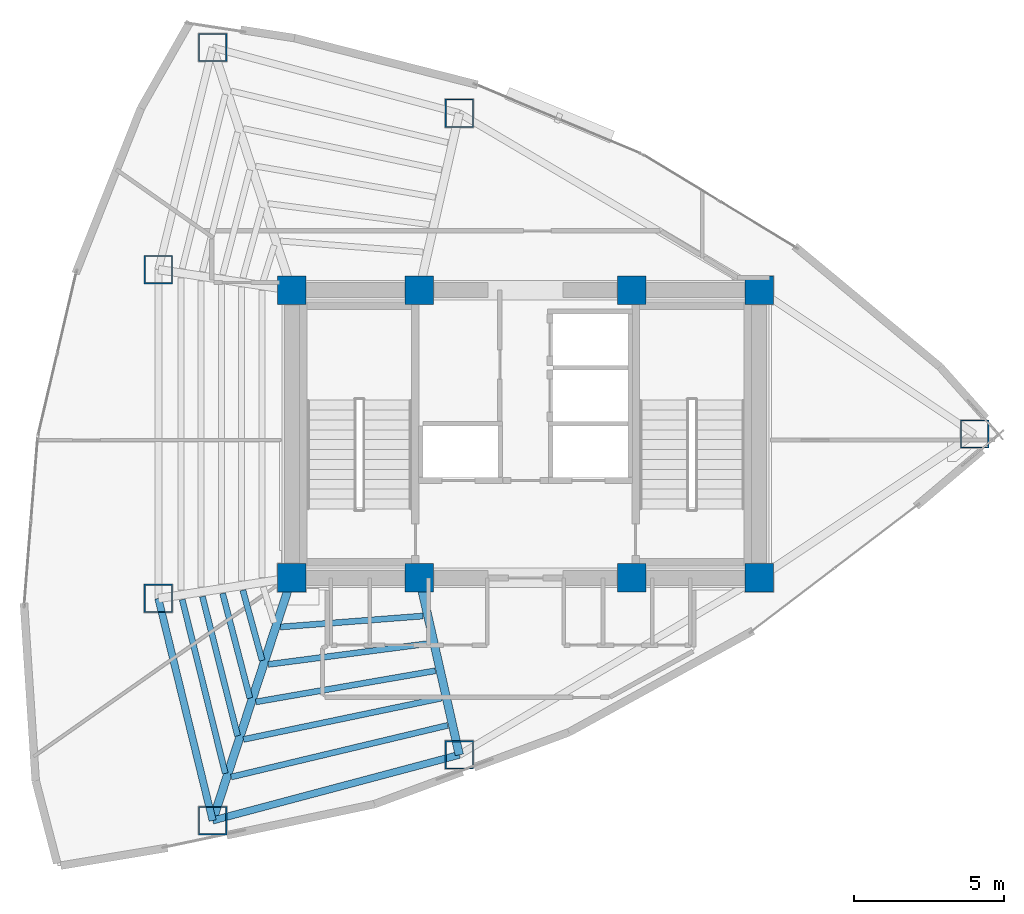
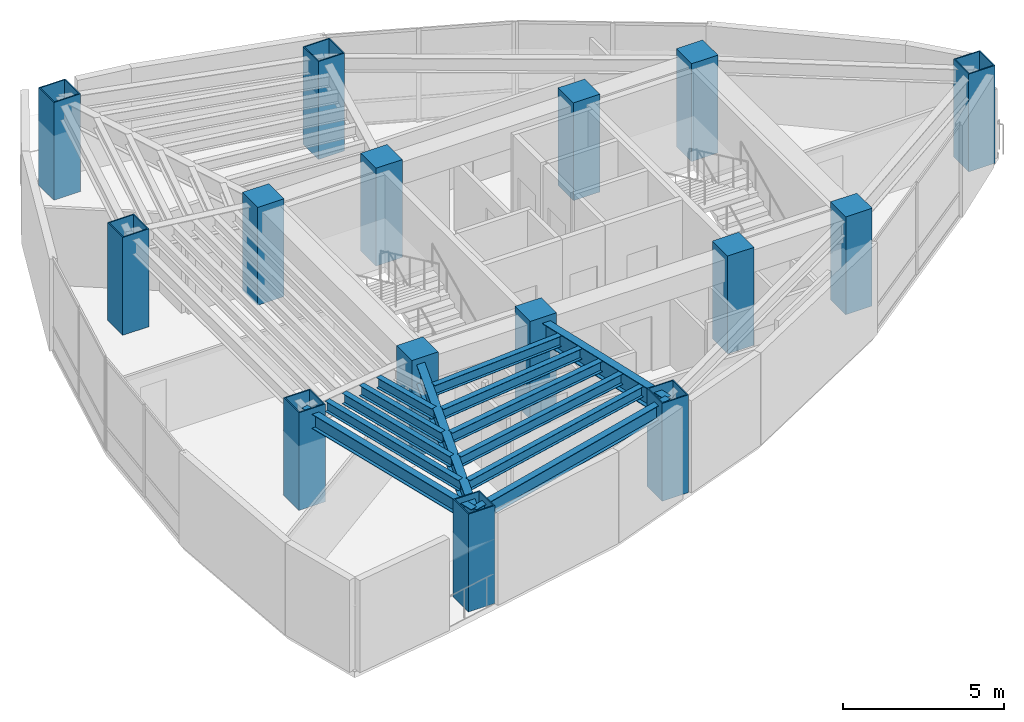
# One storey, part 1 of 15: 15 columns, 13 beams.
"""IFC4 building model written with IfcOpenShell, lengths in metres."""

from ifc_helpers import new_model, si_unit, direction, frame, origin, origin_2d, place, context, subcontext, project, spatial, rectangle, hollow_rectangle, i_section, extrude, material, material_profile, profile_set, type_object, element, save


model = new_model("IFC4")

# Units and contexts
model_context = context("Model", 3, precision=1e-05, world=origin(), true_north=direction((0.0, 1.0)))
body_context = subcontext(model_context, "Body", "Model", "MODEL_VIEW")
ifc_project = project(units=[si_unit("LENGTHUNIT", "METRE"), si_unit("AREAUNIT", "SQUARE_METRE"), si_unit("VOLUMEUNIT", "CUBIC_METRE"), si_unit("PLANEANGLEUNIT", "RADIAN"), si_unit("MASSUNIT", "GRAM", prefix="KILO")], contexts=[model_context])

# Site, building, storey
site_placement = place(None, origin())
site = spatial("IfcSite", under=ifc_project, at=site_placement, CompositionType="ELEMENT")
building_placement = place(site_placement, origin())
building = spatial("IfcBuilding", under=site, at=building_placement, Name="Menara Vayukalpa", CompositionType="ELEMENT")
storey_placement = place(building_placement, frame((0.0, 0.0, 176.639892578125)))
storey = spatial("IfcBuildingStorey", under=building, at=storey_placement, Name="L44", CompositionType="ELEMENT", Elevation=176.639892578125)

# Columns
ifc_material_1 = material(Name="Concrete C60/75", Category="concrete")
ifc_material_profile_1 = material_profile(ifc_material_1, rectangle(XDim=0.949951171875, YDim=0.949951171875, at=origin_2d()), Name="RC 950x950")
ifc_profile_set_1 = profile_set([ifc_material_profile_1], Name="Concrete C60/75")
column_type_1 = type_object("IfcColumnType", Name="COL-CC2", PredefinedType="COLUMN", material=ifc_profile_set_1)
for number, where, z_axis, x_axis, name in (
    (1, (17.800048828125, 17.199951171875, 0.0), (0.0, 0.0, 1.0), (1.0, 0.0, 0.0), "L44 Core Pilaster Column CC1"),
    (2, (22.050048828125, 17.199951171875, 0.0), (0.0, 0.0, 1.0), (1.0, 0.0, 0.0), "L44 Core Pilaster Column CC2"),
    (3, (29.14990234375, 17.199951171875, 0.0), (0.0, 0.0, 1.0), (1.0, 0.0, 0.0), "L44 Core Pilaster Column CC3"),
    (4, (33.39990234375, 17.199951171875, 0.0), (0.0, 0.0, 1.0), (1.0, 0.0, 0.0), "L44 Core Pilaster Column CC4"),
    (5, (17.800048828125, 26.800048828125, 0.0), (0.0, 0.0, 1.0), (1.0, 0.0, 0.0), "L44 Core Pilaster Column CC5"),
    (6, (22.050048828125, 26.800048828125, 0.0), (0.0, 0.0, 1.0), (1.0, 0.0, 0.0), "L44 Core Pilaster Column CC6"),
    (7, (29.14990234375, 26.800048828125, 0.0), (0.0, 0.0, 1.0), (1.0, 0.0, 0.0), "L44 Core Pilaster Column CC7"),
    (8, (33.39990234375, 26.800048828125, 0.0), (0.0, 0.0, 1.0), (1.0, 0.0, 0.0), "L44 Core Pilaster Column CC8"),
):
    element("IfcColumn", number, at=place(storey_placement, frame(where, z_axis=z_axis, x_axis=x_axis)), inside=storey, type_object=column_type_1, Name=name, PredefinedType="COLUMN", context=body_context, shape_type="SweptSolid", body=[
        extrude(rectangle(XDim=0.949951171875, YDim=0.949951171875, at=origin_2d()), origin(), (0.0, 0.0, 1.0), 3.72021484375),
    ])
ifc_material_2 = material(Name="Steel S460", Category="steel")
ifc_material_profile_2 = material_profile(ifc_material_2, hollow_rectangle(XDim=0.949951171875, YDim=0.949951171875, WallThickness=0.0400390625, at=origin_2d()), Name="BOX 950x950x40")
ifc_profile_set_2 = profile_set([ifc_material_profile_2], Name="Steel S460")
column_type_2 = type_object("IfcColumnType", Name="COL-MC4", PredefinedType="COLUMN", material=ifc_profile_set_2)
for number, where, z_axis, x_axis, name in (
    (9, (40.590576171875, 22.0, 0.0), (0.0, 0.0, 1.0), (1.0, 0.0, 0.0), "L44 Perimeter Mega Column P01"),
    (10, (23.389404296875, 32.70849609375, 0.0), (0.0, 0.0, 1.0), (1.0, 0.0, 0.0), "L44 Perimeter Mega Column P03"),
    (11, (15.15478515625, 34.902587890625, 0.0), (0.0, 0.0, 1.0), (1.0, 0.0, 0.0), "L44 Perimeter Mega Column P04"),
    (12, (13.343994140625, 27.4892578125, 0.0), (0.0, 0.0, 1.0), (1.0, 0.0, 0.0), "L44 Perimeter Mega Column P05"),
    (13, (13.343994140625, 16.5107421875, 0.0), (0.0, 0.0, 1.0), (1.0, 0.0, 0.0), "L44 Perimeter Mega Column P06"),
    (14, (15.15478515625, 9.097412109375, 0.0), (0.0, 0.0, 1.0), (1.0, 0.0, 0.0), "L44 Perimeter Mega Column P07"),
    (15, (23.389404296875, 11.29150390625, 0.0), (0.0, 0.0, 1.0), (1.0, 0.0, 0.0), "L44 Perimeter Mega Column P08"),
):
    element("IfcColumn", number, at=place(storey_placement, frame(where, z_axis=z_axis, x_axis=x_axis)), inside=storey, type_object=column_type_2, Name=name, PredefinedType="COLUMN", context=body_context, shape_type="SweptSolid", body=[
        extrude(hollow_rectangle(XDim=0.949951171875, YDim=0.949951171875, WallThickness=0.0400390625, at=origin_2d()), origin(), (0.0, 0.0, 1.0), 3.72021484375),
    ])

# Beams
ifc_material_3 = material(Name="Steel S355", Category="steel")
ifc_material_profile_3 = material_profile(ifc_material_3, i_section(OverallWidth=0.280029296875, OverallDepth=0.75, WebThickness=0.013916015625, FlangeThickness=0.02490234375, at=origin_2d()), Name="WF 750x280x14x25")
ifc_profile_set_3 = profile_set([ifc_material_profile_3], Name="Steel S355")
beam_type_1 = type_object("IfcBeamType", Name="BM-PG4", PredefinedType="BEAM", material=ifc_profile_set_3)
beam_1_placement = place(storey_placement, frame((17.722412109375, 16.96240234375, 3.125), z_axis=(-0.310343552153, -0.950624468251, 0.0), x_axis=(0.950624468251, -0.310343552153, 0.0)))
element("IfcBeam", 16, at=beam_1_placement, inside=storey, type_object=beam_type_1, Name="L44 Primary Radial Girder RG07", PredefinedType="BEAM", context=body_context, shape_type="SweptSolid", body=[
    extrude(i_section(OverallWidth=0.280029296875, OverallDepth=0.75, WebThickness=0.013916015625, FlangeThickness=0.02490234375, at=origin_2d()), origin(), (0.0, 0.0, 1.0), 8.2734375),
])
beam_2_placement = place(storey_placement, frame((22.105224609375, 16.956298828125, 3.125), z_axis=(0.221085149161, -0.975254508741, 0.0), x_axis=(0.975254508741, 0.221085149161, 0.0)))
element("IfcBeam", 17, at=beam_2_placement, inside=storey, type_object=beam_type_1, Name="L44 Primary Radial Girder RG08", PredefinedType="BEAM", context=body_context, shape_type="SweptSolid", body=[
    extrude(i_section(OverallWidth=0.280029296875, OverallDepth=0.75, WebThickness=0.013916015625, FlangeThickness=0.02490234375, at=origin_2d()), origin(), (0.0, 0.0, 1.0), 5.80859375),
])
ifc_material_4 = material(Name="Steel S355", Category="steel")
ifc_material_profile_4 = material_profile(ifc_material_4, i_section(OverallWidth=0.199951171875, OverallDepth=0.39990234375, WebThickness=0.008056640625, FlangeThickness=0.012939453125, at=origin_2d()), Name="WF 400x200x8x13")
ifc_profile_set_4 = profile_set([ifc_material_profile_4], Name="Steel S355")
beam_type_2 = type_object("IfcBeamType", Name="BM-SJ2", PredefinedType="JOIST", material=ifc_profile_set_4)
beam_3_placement = place(storey_placement, frame((16.164306640625, 16.7861328125, 3.300048828125), z_axis=(0.264502665082, -0.964384954344, 0.0), x_axis=(0.964384954344, 0.264502665082, 0.0)))
element("IfcBeam", 18, at=beam_3_placement, inside=storey, type_object=beam_type_2, Name="L44 Secondary Floor Joist SJ06-2", PredefinedType="JOIST", context=body_context, shape_type="SweptSolid", body=[
    extrude(i_section(OverallWidth=0.199951171875, OverallDepth=0.39990234375, WebThickness=0.008056640625, FlangeThickness=0.012939453125, at=origin_2d()), origin(), (0.0, 0.0, 1.0), 2.430419921875),
])
beam_4_placement = place(storey_placement, frame((15.48876953125, 16.681396484375, 3.300048828125), z_axis=(0.251714869346, -0.967801438597, 0.0), x_axis=(0.967801438597, 0.251714869346, 0.0)))
element("IfcBeam", 19, at=beam_4_placement, inside=storey, type_object=beam_type_2, Name="L44 Secondary Floor Joist SJ06-3", PredefinedType="JOIST", context=body_context, shape_type="SweptSolid", body=[
    extrude(i_section(OverallWidth=0.199951171875, OverallDepth=0.39990234375, WebThickness=0.008056640625, FlangeThickness=0.012939453125, at=origin_2d()), origin(), (0.0, 0.0, 1.0), 3.61279296875),
])
beam_5_placement = place(storey_placement, frame((14.814208984375, 16.576904296875, 3.300048828125), z_axis=(0.24483447751, -0.969564891393, 0.0), x_axis=(0.969564891393, 0.24483447751, 0.0)))
element("IfcBeam", 20, at=beam_5_placement, inside=storey, type_object=beam_type_2, Name="L44 Secondary Floor Joist SJ06-4", PredefinedType="JOIST", context=body_context, shape_type="SweptSolid", body=[
    extrude(i_section(OverallWidth=0.199951171875, OverallDepth=0.39990234375, WebThickness=0.008056640625, FlangeThickness=0.012939453125, at=origin_2d()), origin(), (0.0, 0.0, 1.0), 4.79638671875),
])
beam_6_placement = place(storey_placement, frame((14.14013671875, 16.47265625, 3.300048828125), z_axis=(0.240556182956, -0.970635216156, 0.0), x_axis=(0.970635216156, 0.240556182956, 0.0)))
element("IfcBeam", 21, at=beam_6_placement, inside=storey, type_object=beam_type_2, Name="L44 Secondary Floor Joist SJ06-5", PredefinedType="JOIST", context=body_context, shape_type="SweptSolid", body=[
    extrude(i_section(OverallWidth=0.199951171875, OverallDepth=0.39990234375, WebThickness=0.008056640625, FlangeThickness=0.012939453125, at=origin_2d()), origin(), (0.0, 0.0, 1.0), 5.979736328125),
])
beam_7_placement = place(storey_placement, frame((17.419921875, 15.558837890625, 3.300048828125), z_axis=(0.997061705182, 0.076602585202, 0.0), x_axis=(-0.076602585202, 0.997061705182, 0.0)))
element("IfcBeam", 22, at=beam_7_placement, inside=storey, type_object=beam_type_2, Name="L44 Secondary Floor Joist SJ07-1", PredefinedType="JOIST", context=body_context, shape_type="SweptSolid", body=[
    extrude(i_section(OverallWidth=0.199951171875, OverallDepth=0.39990234375, WebThickness=0.008056640625, FlangeThickness=0.012939453125, at=origin_2d()), origin(), (0.0, 0.0, 1.0), 4.77099609375),
])
beam_8_placement = place(storey_placement, frame((17.008056640625, 14.308837890625, 3.300048828125), z_axis=(0.99161070493, 0.129260240866, 0.0), x_axis=(-0.129260240866, 0.99161070493, 0.0)))
element("IfcBeam", 23, at=beam_8_placement, inside=storey, type_object=beam_type_2, Name="L44 Secondary Floor Joist SJ07-2", PredefinedType="JOIST", context=body_context, shape_type="SweptSolid", body=[
    extrude(i_section(OverallWidth=0.199951171875, OverallDepth=0.39990234375, WebThickness=0.008056640625, FlangeThickness=0.012939453125, at=origin_2d()), origin(), (0.0, 0.0, 1.0), 5.420654296875),
])
beam_9_placement = place(storey_placement, frame((16.59619140625, 13.05712890625, 3.300048828125), z_axis=(0.985288833054, 0.170897382832, 0.0), x_axis=(-0.170897382832, 0.985288833054, 0.0)))
element("IfcBeam", 24, at=beam_9_placement, inside=storey, type_object=beam_type_2, Name="L44 Secondary Floor Joist SJ07-3", PredefinedType="JOIST", context=body_context, shape_type="SweptSolid", body=[
    extrude(i_section(OverallWidth=0.199951171875, OverallDepth=0.39990234375, WebThickness=0.008056640625, FlangeThickness=0.012939453125, at=origin_2d()), origin(), (0.0, 0.0, 1.0), 6.0830078125),
])
beam_10_placement = place(storey_placement, frame((16.184326171875, 11.80419921875, 3.300048828125), z_axis=(0.97888709748, 0.204401688806, 0.0), x_axis=(-0.204401688806, 0.97888709748, 0.0)))
element("IfcBeam", 25, at=beam_10_placement, inside=storey, type_object=beam_type_2, Name="L44 Secondary Floor Joist SJ07-4", PredefinedType="JOIST", context=body_context, shape_type="SweptSolid", body=[
    extrude(i_section(OverallWidth=0.199951171875, OverallDepth=0.39990234375, WebThickness=0.008056640625, FlangeThickness=0.012939453125, at=origin_2d()), origin(), (0.0, 0.0, 1.0), 6.75439453125),
])
beam_11_placement = place(storey_placement, frame((15.772705078125, 10.55029296875, 3.300048828125), z_axis=(0.972731800574, 0.231932844055, 0.0), x_axis=(-0.231932844055, 0.972731800574, 0.0)))
element("IfcBeam", 26, at=beam_11_placement, inside=storey, type_object=beam_type_2, Name="L44 Secondary Floor Joist SJ07-5", PredefinedType="JOIST", context=body_context, shape_type="SweptSolid", body=[
    extrude(i_section(OverallWidth=0.199951171875, OverallDepth=0.39990234375, WebThickness=0.008056640625, FlangeThickness=0.012939453125, at=origin_2d()), origin(), (0.0, 0.0, 1.0), 7.4326171875),
])
ifc_material_5 = material(Name="Steel S355", Category="steel")
ifc_material_profile_5 = material_profile(ifc_material_5, i_section(OverallWidth=0.239990234375, OverallDepth=0.550048828125, WebThickness=0.010986328125, FlangeThickness=0.01904296875, at=origin_2d()), Name="WF 550x240x11x19")
ifc_profile_set_5 = profile_set([ifc_material_profile_5], Name="Steel S355")
beam_type_3 = type_object("IfcBeamType", Name="BM-SP2", PredefinedType="SPANDREL", material=ifc_profile_set_5)
beam_12_placement = place(storey_placement, frame((13.343994140625, 16.5107421875, 3.22509765625), z_axis=(0.237285374413, -0.971439988414, 0.0), x_axis=(0.971439988414, 0.237285374413, 0.0)))
element("IfcBeam", 27, at=beam_12_placement, inside=storey, type_object=beam_type_3, Name="L44 Perimeter Spandrel Beam SP06", PredefinedType="SPANDREL", context=body_context, shape_type="SweptSolid", body=[
    extrude(i_section(OverallWidth=0.239990234375, OverallDepth=0.550048828125, WebThickness=0.010986328125, FlangeThickness=0.01904296875, at=origin_2d()), origin(), (0.0, 0.0, 1.0), 7.63134765625),
])
beam_13_placement = place(storey_placement, frame((15.15478515625, 9.097412109375, 3.22509765625), z_axis=(0.966287699272, 0.25746472037, 0.0), x_axis=(-0.25746472037, 0.966287699272, 0.0)))
element("IfcBeam", 28, at=beam_13_placement, inside=storey, type_object=beam_type_3, Name="L44 Perimeter Spandrel Beam SP07", PredefinedType="SPANDREL", context=body_context, shape_type="SweptSolid", body=[
    extrude(i_section(OverallWidth=0.239990234375, OverallDepth=0.550048828125, WebThickness=0.010986328125, FlangeThickness=0.01904296875, at=origin_2d()), origin(), (0.0, 0.0, 1.0), 8.52197265625),
])

save(model, "model.ifc")
